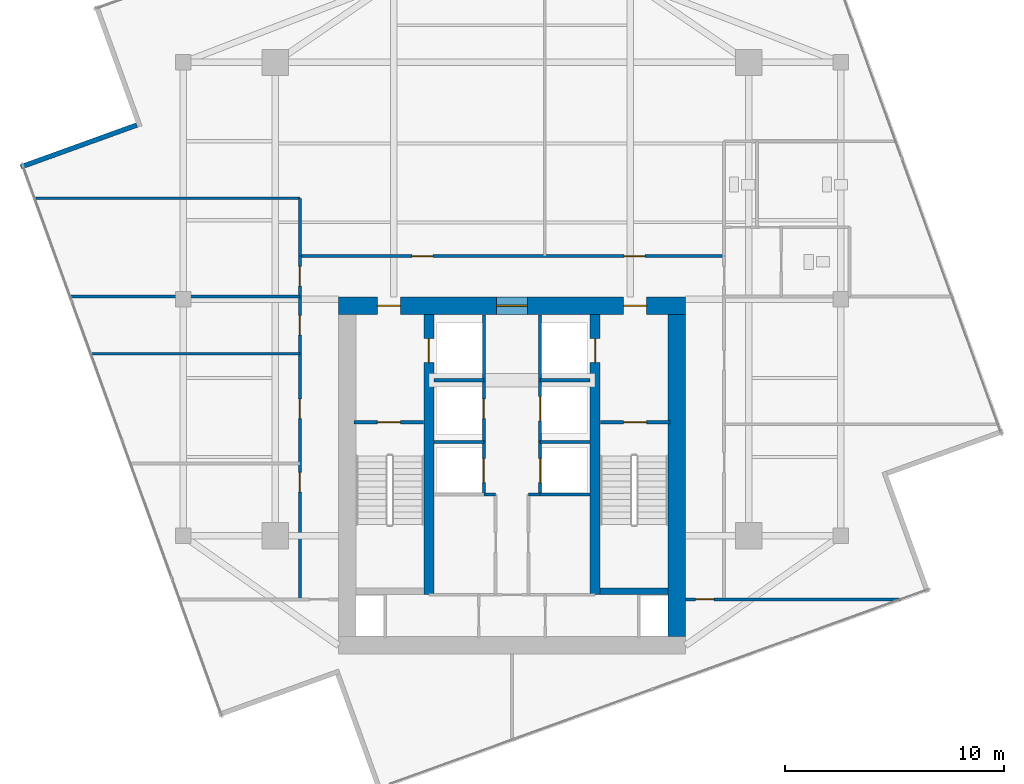
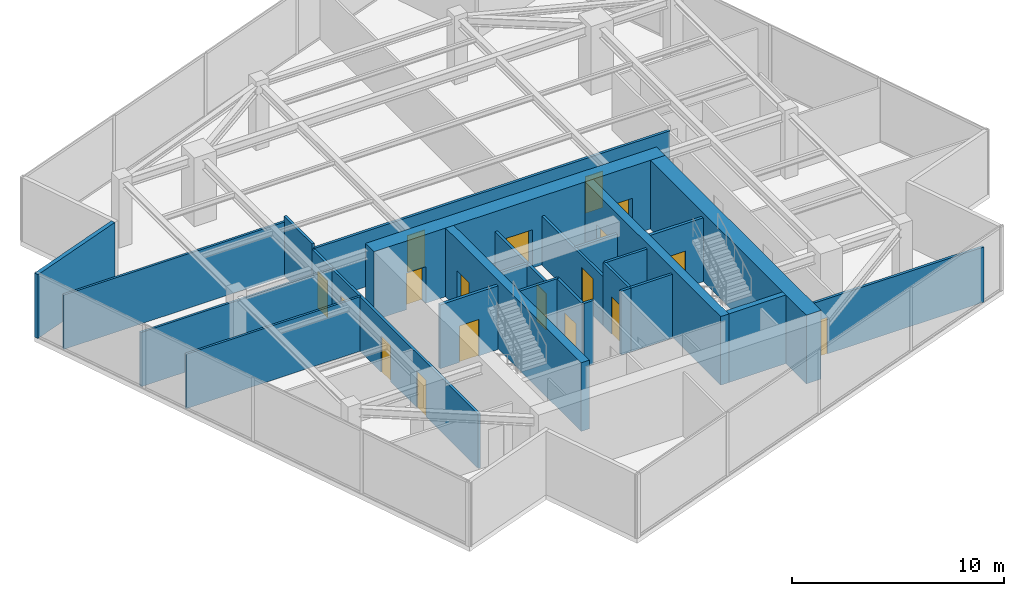
# One storey, part 18 of 21: 26 walls, 18 doors, 18 openings.
"""IFC4 building model written with IfcOpenShell, lengths in metres."""

import ifcopenshell
import ifcopenshell.guid

model = None  # the IFC model being written
_history = None  # IfcOwnerHistory: only IFC2X3 demands one
_inside = {}  # id of a spatial element -> (the spatial element, [elements in it])
_under = {}  # id of a project, library or spatial element -> (it, [spatial elements below it])
_declared = {}  # id of a project -> (the project, [libraries it declares])
_typed = {}  # id of a type object -> (the type object, [elements of that type])
_made_of = {}  # id of a material, layer set ... -> (it, [elements and type objects made of it])


def new_model(schema):
    """Start an empty IFC model of exactly this schema.

    Asked for "IFC4X3", IfcOpenShell would pick the latest addendum, in which some entities
    have other attributes; the version numbers below select the first issue.
    IFC2X3 requires an IfcOwnerHistory on every rooted entity: one is made here for all.
    """
    global model, _history
    if schema == "IFC4X3":
        model = ifcopenshell.file(schema_version=(4, 3, 0, 0))
    else:
        model = ifcopenshell.file(schema=schema)
    _inside.clear()
    _under.clear()
    _declared.clear()
    _typed.clear()
    _made_of.clear()
    _history = None
    if model.schema == "IFC2X3":
        org = make("IfcOrganization", Name="unknown")
        user = make(
            "IfcPersonAndOrganization",
            ThePerson=make("IfcPerson", FamilyName="unknown"),
            TheOrganization=org,
        )
        app = make(
            "IfcApplication",
            ApplicationDeveloper=org,
            Version="unknown",
            ApplicationFullName="unknown",
            ApplicationIdentifier="unknown",
        )
        _history = make(
            "IfcOwnerHistory",
            OwningUser=user,
            OwningApplication=app,
            ChangeAction="ADDED",
            CreationDate=0,
        )
    return model


def make(cls, **values):
    """One entity of the class cls with the attributes given. An attribute that is None is left unset."""
    return model.create_entity(
        cls, **{name: value for name, value in values.items() if value is not None}
    )


def rooted(cls, **values):
    """An entity with a GlobalId (a new one), such as an element, a storey or a relation."""
    return make(cls, GlobalId=ifcopenshell.guid.new(), OwnerHistory=_history, **values)


def si_unit(unit_type, name, prefix=None):
    """IfcSIUnit, for example si_unit("LENGTHUNIT", "METRE", prefix="MILLI")."""
    return make("IfcSIUnit", UnitType=unit_type, Prefix=prefix, Name=name)


def assignment(units):
    """IfcUnitAssignment: the units of a project."""
    return None if units is None else make("IfcUnitAssignment", Units=units)


def point(xyz):
    """IfcCartesianPoint."""
    return None if xyz is None else make("IfcCartesianPoint", Coordinates=xyz)


def direction(xyz):
    """IfcDirection."""
    return None if xyz is None else make("IfcDirection", DirectionRatios=xyz)


def frame(location, z_axis=None, x_axis=None):
    """IfcAxis2Placement3D, a coordinate frame: its origin and axes. An axis left out is left unset."""
    return make(
        "IfcAxis2Placement3D",
        Location=point(location),
        Axis=direction(z_axis),
        RefDirection=direction(x_axis),
    )


def frame_2d(location, x_axis=None):
    """IfcAxis2Placement2D, a coordinate frame in the plane: its origin and x axis."""
    return make(
        "IfcAxis2Placement2D", Location=point(location), RefDirection=direction(x_axis)
    )


def origin():
    """The frame at (0, 0, 0) with its axes left unset."""
    return frame((0.0, 0.0, 0.0))


def place(relative_to, where):
    """IfcLocalPlacement: puts the frame where relative to a parent placement (None: the world)."""
    return make(
        "IfcLocalPlacement", PlacementRelTo=relative_to, RelativePlacement=where
    )


def context(
    kind, dimensions, precision=None, world=None, true_north=None, identifier=None
):
    """IfcGeometricRepresentationContext, for example the 3D "Model" context."""
    return make(
        "IfcGeometricRepresentationContext",
        ContextIdentifier=identifier,
        ContextType=kind,
        CoordinateSpaceDimension=dimensions,
        Precision=precision,
        WorldCoordinateSystem=world,
        TrueNorth=true_north,
    )


def subcontext(parent, identifier, kind, view, scale=None):
    """IfcGeometricRepresentationSubContext, for example "Body" below "Model"."""
    return make(
        "IfcGeometricRepresentationSubContext",
        ContextIdentifier=identifier,
        ContextType=kind,
        ParentContext=parent,
        TargetScale=scale,
        TargetView=view,
    )


def project(units=None, contexts=None):
    """IfcProject with its units and contexts."""
    return rooted(
        "IfcProject",
        Name="project",
        RepresentationContexts=contexts,
        UnitsInContext=assignment(units),
    )


def spatial(cls, under=None, at=None, **own):
    """A site, building, storey or space (cls), placed at a placement, below another one or the project."""
    s = rooted(cls, ObjectPlacement=at, **own)
    if under is not None:
        _under.setdefault(under.id(), (under, []))[1].append(s)
    return s


def profile(cls, at=None, kind="AREA", **sizes):
    """A parametric profile (cls). Its sizes go by their IFC names, for example OverallWidth=200.0."""
    return make(cls, ProfileType=kind, Position=at, **sizes)


def rectangle(**sizes):
    """IfcRectangleProfileDef."""
    return profile("IfcRectangleProfileDef", **sizes)


def extrude(swept, where, along, depth):
    """IfcExtrudedAreaSolid: the profile swept, set in the frame where, extruded along a direction by depth."""
    return make(
        "IfcExtrudedAreaSolid",
        SweptArea=swept,
        Position=where,
        ExtrudedDirection=direction(along),
        Depth=depth,
    )


def shape(context_of_items, identifier, shape_type, items):
    """IfcShapeRepresentation: the items that make up one representation, for example the "Body"."""
    return make(
        "IfcShapeRepresentation",
        ContextOfItems=context_of_items,
        RepresentationIdentifier=identifier,
        RepresentationType=shape_type,
        Items=items,
    )


def material(Name=None, Category=None):
    """IfcMaterial."""
    return make("IfcMaterial", Name=Name, Category=Category)


def layer(
    of_material, thickness, ventilated=None, Name=None, Category=None, Priority=None
):
    """IfcMaterialLayer: one layer of a wall or slab, of a material (None: an air gap)."""
    return make(
        "IfcMaterialLayer",
        Material=of_material,
        LayerThickness=thickness,
        IsVentilated=ventilated,
        Name=Name,
        Category=Category,
        Priority=Priority,
    )


def layer_set(layers, Name=None):
    """IfcMaterialLayerSet."""
    return make("IfcMaterialLayerSet", MaterialLayers=layers, LayerSetName=Name)


def made_of(thing, what):
    """Note that an element or type object is made of a material, layer set ...; save() writes the relation."""
    if what is not None:
        _made_of.setdefault(what.id(), (what, []))[1].append(thing)
    return thing


def type_object(cls, material=None, **own):
    """A type object (cls), such as IfcWallType, which elements share."""
    return made_of(rooted(cls, **own), material)


def element(
    cls,
    number,
    at=None,
    inside=None,
    cuts=None,
    type_object=None,
    material=None,
    context=None,
    identifier="Body",
    shape_type=None,
    held_by="IfcProductDefinitionShape",
    body=None,
    shapes=None,
    **own,
):
    """One element of the class cls, such as IfcWall. Its Tag is "e" and its number.

    at: its placement. inside: the storey or other place that contains it. cuts: it is an
    opening in that element (IfcRelVoidsElement). A single representation is given by context,
    identifier, shape_type and body (its items); several are given by shapes. held_by: the class
    of the entity that holds the representations. save() writes the other relations.
    """
    e = rooted(cls, Tag="e%d" % number, ObjectPlacement=at, **own)
    if body is not None:
        shapes = [shape(context, identifier, shape_type, body)]
    if shapes is not None:
        e.Representation = make(held_by, Representations=shapes)
    if inside is not None:
        _inside.setdefault(inside.id(), (inside, []))[1].append(e)
    if cuts is not None:
        rooted(
            "IfcRelVoidsElement", RelatingBuildingElement=cuts, RelatedOpeningElement=e
        )
    if type_object is not None:
        _typed.setdefault(type_object.id(), (type_object, []))[1].append(e)
    return made_of(e, material)


def fill(opening, filler):
    """IfcRelFillsElement: the door or window that sits in an opening."""
    return rooted(
        "IfcRelFillsElement",
        RelatingOpeningElement=opening,
        RelatedBuildingElement=filler,
    )


def aggregate(whole, parts):
    """IfcRelAggregates: a whole, such as a stair, and the parts it consists of."""
    return rooted("IfcRelAggregates", RelatingObject=whole, RelatedObjects=parts)


def save(model, path):
    """Write the relations noted so far, then the file.

    IfcRelAggregates (storeys below a building ...), IfcRelContainedInSpatialStructure (elements
    in a storey), IfcRelDefinesByType, IfcRelAssociatesMaterial and IfcRelDeclares: one each for
    every whole, place, type object, material and project.
    """
    for whole, parts in _under.values():
        aggregate(whole, parts)
    for where, things in _inside.values():
        rooted(
            "IfcRelContainedInSpatialStructure",
            RelatedElements=things,
            RelatingStructure=where,
        )
    for kind, things in _typed.values():
        rooted("IfcRelDefinesByType", RelatedObjects=things, RelatingType=kind)
    for what, things in _made_of.values():
        rooted("IfcRelAssociatesMaterial", RelatedObjects=things, RelatingMaterial=what)
    for by, libraries in _declared.values():
        rooted("IfcRelDeclares", RelatingContext=by, RelatedDefinitions=libraries)
    model.write(path)


model = new_model("IFC4")

# Units and contexts
model_context = context("Model", 3, precision=1e-05, world=origin(), true_north=direction((0.0, 1.0)))
body_context = subcontext(model_context, "Body", "Model", "MODEL_VIEW")
ifc_project = project(units=[si_unit("LENGTHUNIT", "METRE"), si_unit("AREAUNIT", "SQUARE_METRE"), si_unit("VOLUMEUNIT", "CUBIC_METRE"), si_unit("PLANEANGLEUNIT", "RADIAN"), si_unit("MASSUNIT", "GRAM", prefix="KILO")], contexts=[model_context])

# Site, building, storey
site_placement = place(None, origin())
site = spatial("IfcSite", under=ifc_project, at=site_placement, CompositionType="ELEMENT")
building_placement = place(site_placement, origin())
building = spatial("IfcBuilding", under=site, at=building_placement, Name="Krantzveldt Concourse Tower", CompositionType="ELEMENT")
storey_placement = place(building_placement, frame((0.0, 0.0, 335.60009765625)))
storey = spatial("IfcBuildingStorey", under=building, at=storey_placement, Name="L82", CompositionType="ELEMENT", Elevation=335.60009765625)

# Walls
ifc_material_1 = material(Name="Anodised aluminium 6063-T6", Category="aluminium")
ifc_layer_1 = layer(ifc_material_1, 0.219970703125, Name="Anodised aluminium 6063-T6", Category="aluminium")
ifc_layer_set_1 = layer_set([ifc_layer_1], Name="Anodised aluminium 6063-T6 (WL-EXT-NOTCH220)")
wall_type_1 = type_object("IfcWallType", Name="WL-EXT-NOTCH220", PredefinedType="ELEMENTEDWALL", material=ifc_layer_set_1)
wall_1_placement = place(storey_placement, frame((18.8798828125, 34.642822265625, 0.0), z_axis=(0.0, 0.0, 1.0), x_axis=(-0.940431745156, -0.339982547644, 0.0)))
element("IfcWall", 1, at=wall_1_placement, inside=storey, type_object=wall_type_1, Name="EW-L82-NCH03", PredefinedType="ELEMENTEDWALL", context=body_context, shape_type="SweptSolid", body=[
    extrude(rectangle(XDim=5.624755859375, YDim=0.219970703125, at=frame_2d((2.8125, 0.0))), origin(), (0.0, 0.0, 1.0), 3.669921875),
])
ifc_material_2 = material(Name="Fire-rated gypsum plasterboard on steel stud", Category="steel")
ifc_layer_2 = layer(ifc_material_2, 0.1201171875, Name="Fire-rated gypsum plasterboard on steel stud", Category="steel")
ifc_layer_set_2 = layer_set([ifc_layer_2], Name="Fire-rated gypsum plasterboard on steel stud (WL-PART-120)")
wall_type_2 = type_object("IfcWallType", Name="WL-PART-120", PredefinedType="PARTITIONING", material=ifc_layer_set_2)
wall_2_placement = place(storey_placement, frame((15.848876953125, 26.820068359375, 0.0), z_axis=(0.0, 0.0, 1.0), x_axis=(1.0, 0.0, 0.0)))
element("IfcWall", 2, at=wall_2_placement, inside=storey, type_object=wall_type_2, Name="WP-L82-PNTS", PredefinedType="PARTITIONING", context=body_context, shape_type="SweptSolid", body=[
    extrude(rectangle(XDim=10.47119140625, YDim=0.1201171875, at=frame_2d((5.235595703125, 0.0))), origin(), (0.0, 0.0, 1.0), 3.1298828125),
])
wall_3_placement = place(storey_placement, frame((14.2294921875, 31.300048828125, 0.0), z_axis=(0.0, 0.0, 1.0), x_axis=(1.0, 0.0, 0.0)))
element("IfcWall", 3, at=wall_3_placement, inside=storey, type_object=wall_type_2, Name="WP-L82-PNTN", PredefinedType="PARTITIONING", context=body_context, shape_type="SweptSolid", body=[
    extrude(rectangle(XDim=12.090576171875, YDim=0.1201171875, at=frame_2d((6.04541015625, 0.0))), origin(), (0.0, 0.0, 1.0), 3.1298828125),
])
wall_4_placement = place(storey_placement, frame((16.796142578125, 24.199951171875, 0.0), z_axis=(0.0, 0.0, 1.0), x_axis=(1.0, 0.0, 0.0)))
element("IfcWall", 4, at=wall_4_placement, inside=storey, type_object=wall_type_2, Name="WP-L82-WD2", PredefinedType="PARTITIONING", context=body_context, shape_type="SweptSolid", body=[
    extrude(rectangle(XDim=9.52392578125, YDim=0.1201171875, at=frame_2d((4.761962890625, 0.0))), origin(), (0.0, 0.0, 1.0), 3.1298828125),
])

# Wall, openings, doors
ifc_layer_3 = layer(ifc_material_2, 0.139892578125, Name="Fire-rated gypsum plasterboard on steel stud", Category="steel")
ifc_layer_set_3 = layer_set([ifc_layer_3], Name="Fire-rated gypsum plasterboard on steel stud (WL-PART-140)")
wall_type_3 = type_object("IfcWallType", Name="WL-PART-140", PredefinedType="PARTITIONING", material=ifc_layer_set_3)
wall_5_placement = place(storey_placement, frame((26.320068359375, 28.659912109375, 0.0), z_axis=(0.0, 0.0, 1.0), x_axis=(1.0, 0.0, 0.0)))
wall_5 = element("IfcWall", 5, at=wall_5_placement, inside=storey, type_object=wall_type_3, Name="WP-L82-CNHDR", PredefinedType="PARTITIONING", context=body_context, shape_type="SweptSolid", body=[
    extrude(rectangle(XDim=19.35986328125, YDim=0.139892578125, at=frame_2d((9.679931640625, 0.0))), origin(), (0.0, 0.0, 1.0), 3.179931640625),
])
opening_1_placement = place(wall_5_placement, frame((5.114990234375, 0.0, 0.0)))
opening_1 = element("IfcOpeningElement", 6, at=opening_1_placement, cuts=wall_5, Name="Opening D-IN095", PredefinedType="OPENING", context=body_context, shape_type="SweptSolid", body=[
    extrude(rectangle(XDim=0.949951171875, YDim=2.10009765625, at=frame_2d((0.47509765625, 1.050048828125))), frame((0.0, 0.080078125, 0.0), z_axis=(0.0, -1.0, 0.0), x_axis=(1.0, 0.0, 0.0)), (0.0, 0.0, 1.0), 0.159912109375),
])
opening_2_placement = place(wall_5_placement, frame((14.794921875, 0.0, 0.0)))
opening_2 = element("IfcOpeningElement", 7, at=opening_2_placement, cuts=wall_5, Name="Opening D-IN095", PredefinedType="OPENING", context=body_context, shape_type="SweptSolid", body=[
    extrude(rectangle(XDim=0.949951171875, YDim=2.10009765625, at=frame_2d((0.47509765625, 1.050048828125))), frame((0.0, 0.080078125, 0.0), z_axis=(0.0, -1.0, 0.0), x_axis=(1.0, 0.0, 0.0)), (0.0, 0.0, 1.0), 0.159912109375),
])
ifc_material_3 = material(Name="Hardwood timber", Category="wood")
door_type_1 = type_object("IfcDoorType", Name="DR-INT-950", OperationType="SINGLE_SWING_LEFT", PredefinedType="DOOR", material=ifc_material_3)
door_1_placement = place(opening_1_placement, origin())
door_1 = element("IfcDoor", 8, at=door_1_placement, inside=storey, type_object=door_type_1, Name="DR-L82-NR1", OperationType="SINGLE_SWING_LEFT", OverallHeight=2.10009765625, OverallWidth=0.949951171875, PredefinedType="DOOR", context=body_context, shape_type="SweptSolid", body=[
    extrude(rectangle(XDim=0.949951171875, YDim=2.10009765625, at=frame_2d((0.47509765625, 1.050048828125))), frame((0.0, 0.02490234375, 0.0), z_axis=(0.0, -1.0, 0.0), x_axis=(1.0, 0.0, 0.0)), (0.0, 0.0, 1.0), 0.050048828125),
])
fill(opening_1, door_1)
door_2_placement = place(opening_2_placement, origin())
door_2 = element("IfcDoor", 9, at=door_2_placement, inside=storey, type_object=door_type_1, Name="DR-L82-NR2", OperationType="SINGLE_SWING_LEFT", OverallHeight=2.10009765625, OverallWidth=0.949951171875, PredefinedType="DOOR", context=body_context, shape_type="SweptSolid", body=[
    extrude(rectangle(XDim=0.949951171875, YDim=2.10009765625, at=frame_2d((0.47509765625, 1.050048828125))), frame((0.0, 0.02490234375, 0.0), z_axis=(0.0, -1.0, 0.0), x_axis=(1.0, 0.0, 0.0)), (0.0, 0.0, 1.0), 0.050048828125),
])
fill(opening_2, door_2)

wall_6_placement = place(storey_placement, frame((26.320068359375, 13.0, 0.0), z_axis=(0.0, 0.0, 1.0), x_axis=(0.0, 1.0, 0.0)))
wall_6 = element("IfcWall", 10, at=wall_6_placement, inside=storey, type_object=wall_type_3, Name="WP-L82-CWEST", PredefinedType="PARTITIONING", context=body_context, shape_type="SweptSolid", body=[
    extrude(rectangle(XDim=15.659912109375, YDim=0.139892578125, at=frame_2d((7.830078125, 0.0))), origin(), (0.0, 0.0, 1.0), 3.1298828125),
])
opening_3_placement = place(wall_6_placement, frame((14.300048828125, 0.0, 0.0)))
opening_3 = element("IfcOpeningElement", 11, at=opening_3_placement, cuts=wall_6, Name="Opening D-IN090", PredefinedType="OPENING", context=body_context, shape_type="SweptSolid", body=[
    extrude(rectangle(XDim=0.89990234375, YDim=2.10009765625, at=frame_2d((0.449951171875, 1.050048828125))), frame((0.0, 0.080078125, 0.0), z_axis=(0.0, -1.0, 0.0), x_axis=(1.0, 0.0, 0.0)), (0.0, 0.0, 1.0), 0.159912109375),
])
opening_4_placement = place(wall_6_placement, frame((4.89990234375, 0.0, 0.0)))
opening_4 = element("IfcOpeningElement", 12, at=opening_4_placement, cuts=wall_6, Name="Opening D-IN090", PredefinedType="OPENING", context=body_context, shape_type="SweptSolid", body=[
    extrude(rectangle(XDim=0.89990234375, YDim=2.10009765625, at=frame_2d((0.449951171875, 1.050048828125))), frame((0.0, 0.080078125, 0.0), z_axis=(0.0, -1.0, 0.0), x_axis=(1.0, 0.0, 0.0)), (0.0, 0.0, 1.0), 0.159912109375),
])
opening_5_placement = place(wall_6_placement, frame((8.25, 0.0, 0.0)))
opening_5 = element("IfcOpeningElement", 13, at=opening_5_placement, cuts=wall_6, Name="Opening D-IN090", PredefinedType="OPENING", context=body_context, shape_type="SweptSolid", body=[
    extrude(rectangle(XDim=0.89990234375, YDim=2.10009765625, at=frame_2d((0.449951171875, 1.050048828125))), frame((0.0, 0.080078125, 0.0), z_axis=(0.0, -1.0, 0.0), x_axis=(1.0, 0.0, 0.0)), (0.0, 0.0, 1.0), 0.159912109375),
])
opening_6_placement = place(wall_6_placement, frame((12.06005859375, 0.0, 0.0)))
opening_6 = element("IfcOpeningElement", 14, at=opening_6_placement, cuts=wall_6, Name="Opening D-IN090", PredefinedType="OPENING", context=body_context, shape_type="SweptSolid", body=[
    extrude(rectangle(XDim=0.89990234375, YDim=2.10009765625, at=frame_2d((0.449951171875, 1.050048828125))), frame((0.0, 0.080078125, 0.0), z_axis=(0.0, -1.0, 0.0), x_axis=(1.0, 0.0, 0.0)), (0.0, 0.0, 1.0), 0.159912109375),
])
door_type_2 = type_object("IfcDoorType", Name="DR-INT-900", OperationType="SINGLE_SWING_LEFT", PredefinedType="DOOR", material=ifc_material_3)
door_3_placement = place(opening_3_placement, origin())
door_3 = element("IfcDoor", 15, at=door_3_placement, inside=storey, type_object=door_type_2, Name="DR-L82-PNT", OperationType="SINGLE_SWING_LEFT", OverallHeight=2.10009765625, OverallWidth=0.89990234375, PredefinedType="DOOR", context=body_context, shape_type="SweptSolid", body=[
    extrude(rectangle(XDim=0.89990234375, YDim=2.10009765625, at=frame_2d((0.449951171875, 1.050048828125))), frame((0.0, 0.02490234375, 0.0), z_axis=(0.0, -1.0, 0.0), x_axis=(1.0, 0.0, 0.0)), (0.0, 0.0, 1.0), 0.050048828125),
])
fill(opening_3, door_3)
door_4_placement = place(opening_4_placement, origin())
door_4 = element("IfcDoor", 16, at=door_4_placement, inside=storey, type_object=door_type_2, Name="DR-L82-WR1", OperationType="SINGLE_SWING_LEFT", OverallHeight=2.10009765625, OverallWidth=0.89990234375, PredefinedType="DOOR", context=body_context, shape_type="SweptSolid", body=[
    extrude(rectangle(XDim=0.89990234375, YDim=2.10009765625, at=frame_2d((0.449951171875, 1.050048828125))), frame((0.0, 0.02490234375, 0.0), z_axis=(0.0, -1.0, 0.0), x_axis=(1.0, 0.0, 0.0)), (0.0, 0.0, 1.0), 0.050048828125),
])
fill(opening_4, door_4)
door_5_placement = place(opening_5_placement, origin())
door_5 = element("IfcDoor", 17, at=door_5_placement, inside=storey, type_object=door_type_2, Name="DR-L82-WR2", OperationType="SINGLE_SWING_LEFT", OverallHeight=2.10009765625, OverallWidth=0.89990234375, PredefinedType="DOOR", context=body_context, shape_type="SweptSolid", body=[
    extrude(rectangle(XDim=0.89990234375, YDim=2.10009765625, at=frame_2d((0.449951171875, 1.050048828125))), frame((0.0, 0.02490234375, 0.0), z_axis=(0.0, -1.0, 0.0), x_axis=(1.0, 0.0, 0.0)), (0.0, 0.0, 1.0), 0.050048828125),
])
fill(opening_5, door_5)
door_6_placement = place(opening_6_placement, origin())
door_6 = element("IfcDoor", 18, at=door_6_placement, inside=storey, type_object=door_type_2, Name="DR-L82-WR3", OperationType="SINGLE_SWING_LEFT", OverallHeight=2.10009765625, OverallWidth=0.89990234375, PredefinedType="DOOR", context=body_context, shape_type="SweptSolid", body=[
    extrude(rectangle(XDim=0.89990234375, YDim=2.10009765625, at=frame_2d((0.449951171875, 1.050048828125))), frame((0.0, 0.02490234375, 0.0), z_axis=(0.0, -1.0, 0.0), x_axis=(1.0, 0.0, 0.0)), (0.0, 0.0, 1.0), 0.050048828125),
])
fill(opening_6, door_6)

# Wall, opening, door
wall_7_placement = place(storey_placement, frame((43.919921875, 13.0, 0.0), z_axis=(0.0, 0.0, 1.0), x_axis=(1.0, 0.0, 0.0)))
wall_7 = element("IfcWall", 19, at=wall_7_placement, inside=storey, type_object=wall_type_3, Name="WP-L82-CSBOTE", PredefinedType="PARTITIONING", context=body_context, shape_type="SweptSolid", body=[
    extrude(rectangle(XDim=9.80517578125, YDim=0.139892578125, at=frame_2d((4.902587890625, 0.0))), origin(), (0.0, 0.0, 1.0), 3.179931640625),
])
opening_7_placement = place(wall_7_placement, frame((0.455078125, 0.0, 0.0)))
opening_7 = element("IfcOpeningElement", 20, at=opening_7_placement, cuts=wall_7, Name="Opening D-IN085", PredefinedType="OPENING", context=body_context, shape_type="SweptSolid", body=[
    extrude(rectangle(XDim=0.85009765625, YDim=2.10009765625, at=frame_2d((0.425048828125, 1.050048828125))), frame((0.0, 0.080078125, 0.0), z_axis=(0.0, -1.0, 0.0), x_axis=(1.0, 0.0, 0.0)), (0.0, 0.0, 1.0), 0.159912109375),
])
door_type_3 = type_object("IfcDoorType", Name="DR-INT-850", OperationType="SINGLE_SWING_LEFT", PredefinedType="DOOR", material=ifc_material_3)
door_7_placement = place(opening_7_placement, origin())
door_7 = element("IfcDoor", 21, at=door_7_placement, inside=storey, type_object=door_type_3, Name="DR-L82-SR2", OperationType="SINGLE_SWING_LEFT", OverallHeight=2.10009765625, OverallWidth=0.85009765625, PredefinedType="DOOR", context=body_context, shape_type="SweptSolid", body=[
    extrude(rectangle(XDim=0.85009765625, YDim=2.10009765625, at=frame_2d((0.425048828125, 1.050048828125))), frame((0.0, 0.02490234375, 0.0), z_axis=(0.0, -1.0, 0.0), x_axis=(1.0, 0.0, 0.0)), (0.0, 0.0, 1.0), 0.050048828125),
])
fill(opening_7, door_7)

# Wall
wall_8_placement = place(storey_placement, frame((26.320068359375, 28.659912109375, 0.0), z_axis=(0.0, 0.0, 1.0), x_axis=(0.0, 1.0, 0.0)))
element("IfcWall", 22, at=wall_8_placement, inside=storey, type_object=wall_type_3, Name="WP-L82-NWL", PredefinedType="PARTITIONING", context=body_context, shape_type="SweptSolid", body=[
    extrude(rectangle(XDim=2.64013671875, YDim=0.139892578125, at=frame_2d((1.320068359375, 0.0))), origin(), (0.0, 0.0, 1.0), 3.429931640625),
])

# Wall, opening, door
ifc_layer_4 = layer(ifc_material_2, 0.139892578125, Name="Fire-rated gypsum plasterboard on steel stud", Category="steel")
ifc_layer_set_4 = layer_set([ifc_layer_4], Name="Fire-rated gypsum plasterboard on steel stud (WL-PART-FR140)")
wall_type_4 = type_object("IfcWallType", Name="WL-PART-FR140", PredefinedType="PARTITIONING", material=ifc_layer_set_4)
wall_9_placement = place(storey_placement, frame((34.719970703125, 20.199951171875, 0.0), z_axis=(0.0, 0.0, 1.0), x_axis=(0.0, 1.0, 0.0)))
wall_9 = element("IfcWall", 23, at=wall_9_placement, inside=storey, type_object=wall_type_4, Name="WP-L82-SHNW", PredefinedType="PARTITIONING", context=body_context, shape_type="SweptSolid", body=[
    extrude(rectangle(XDim=5.780029296875, YDim=0.139892578125, at=frame_2d((2.89013671875, 0.0))), origin(), (0.0, 0.0, 1.0), 2.81982421875),
])
opening_8_placement = place(wall_9_placement, frame((1.050048828125, 0.0, 0.0)))
opening_8 = element("IfcOpeningElement", 24, at=opening_8_placement, cuts=wall_9, Name="Opening D-FD090", PredefinedType="OPENING", context=body_context, shape_type="SweptSolid", body=[
    extrude(rectangle(XDim=0.89990234375, YDim=2.10009765625, at=frame_2d((0.449951171875, 1.050048828125))), frame((0.0, 0.080078125, 0.0), z_axis=(0.0, -1.0, 0.0), x_axis=(1.0, 0.0, 0.0)), (0.0, 0.0, 1.0), 0.159912109375),
])
door_type_4 = type_object("IfcDoorType", Name="DR-FD60-900", OperationType="SINGLE_SWING_LEFT", PredefinedType="DOOR", material=ifc_material_3)
door_8_placement = place(opening_8_placement, origin())
door_8 = element("IfcDoor", 25, at=door_8_placement, inside=storey, type_object=door_type_4, Name="Electrical Riser Access Door L82", OperationType="SINGLE_SWING_LEFT", OverallHeight=2.10009765625, OverallWidth=0.89990234375, PredefinedType="DOOR", context=body_context, shape_type="SweptSolid", body=[
    extrude(rectangle(XDim=0.89990234375, YDim=2.10009765625, at=frame_2d((0.449951171875, 1.050048828125))), frame((0.0, 0.02490234375, 0.0), z_axis=(0.0, -1.0, 0.0), x_axis=(1.0, 0.0, 0.0)), (0.0, 0.0, 1.0), 0.050048828125),
])
fill(opening_8, door_8)

wall_10_placement = place(storey_placement, frame((37.280029296875, 20.199951171875, 0.0), z_axis=(0.0, 0.0, 1.0), x_axis=(0.0, 1.0, 0.0)))
wall_10 = element("IfcWall", 26, at=wall_10_placement, inside=storey, type_object=wall_type_4, Name="WP-L82-SHNE", PredefinedType="PARTITIONING", context=body_context, shape_type="SweptSolid", body=[
    extrude(rectangle(XDim=5.780029296875, YDim=0.139892578125, at=frame_2d((2.89013671875, 0.0))), origin(), (0.0, 0.0, 1.0), 2.81982421875),
])
opening_9_placement = place(wall_10_placement, frame((0.949951171875, 0.0, 0.0)))
opening_9 = element("IfcOpeningElement", 27, at=opening_9_placement, cuts=wall_10, Name="Opening LD", PredefinedType="OPENING", context=body_context, shape_type="SweptSolid", body=[
    extrude(rectangle(XDim=1.10009765625, YDim=2.14990234375, at=frame_2d((0.550048828125, 1.074951171875))), frame((0.0, 0.080078125, 0.0), z_axis=(0.0, -1.0, 0.0), x_axis=(1.0, 0.0, 0.0)), (0.0, 0.0, 1.0), 0.159912109375),
])
ifc_material_4 = material(Name="Stainless steel 316L", Category="steel")
door_type_5 = type_object("IfcDoorType", Name="DR-SLIDE-LD1100", OperationType="DOUBLE_DOOR_SLIDING", PredefinedType="DOOR", material=ifc_material_4)
door_9_placement = place(opening_9_placement, origin())
door_9 = element("IfcDoor", 28, at=door_9_placement, inside=storey, type_object=door_type_5, Name="LD-L82-GL1", OperationType="DOUBLE_DOOR_SLIDING", OverallHeight=2.14990234375, OverallWidth=1.10009765625, PredefinedType="DOOR", context=body_context, shape_type="SweptSolid", body=[
    extrude(rectangle(XDim=1.10009765625, YDim=2.14990234375, at=frame_2d((0.550048828125, 1.074951171875))), frame((0.0, 0.02490234375, 0.0), z_axis=(0.0, -1.0, 0.0), x_axis=(1.0, 0.0, 0.0)), (0.0, 0.0, 1.0), 0.050048828125),
])
fill(opening_9, door_9)

# Walls
for number, where, z_axis, x_axis, name in (
    (29, (32.449951171875, 23.0, 0.0), (0.0, 0.0, 1.0), (1.0, 0.0, 0.0), "WP-L82-RISH"),
    (30, (37.280029296875, 23.0, 0.0), (0.0, 0.0, 1.0), (1.0, 0.0, 0.0), "WP-L82-GLH"),
):
    element("IfcWall", number, at=place(storey_placement, frame(where, z_axis=z_axis, x_axis=x_axis)), inside=storey, type_object=wall_type_4, Name=name, PredefinedType="PARTITIONING", context=body_context, shape_type="SweptSolid", body=[
        extrude(rectangle(XDim=2.27001953125, YDim=0.139892578125, at=frame_2d((1.135009765625, 0.0))), origin(), (0.0, 0.0, 1.0), 2.81982421875),
    ])

# Wall, opening, door
wall_11_placement = place(storey_placement, frame((34.719970703125, 17.780029296875, 0.0), z_axis=(0.0, 0.0, 1.0), x_axis=(0.0, 1.0, 0.0)))
wall_11 = element("IfcWall", 31, at=wall_11_placement, inside=storey, type_object=wall_type_4, Name="WP-L82-SHNW2", PredefinedType="PARTITIONING", context=body_context, shape_type="SweptSolid", body=[
    extrude(rectangle(XDim=2.419921875, YDim=0.139892578125, at=frame_2d((1.2099609375, 0.0))), origin(), (0.0, 0.0, 1.0), 3.669921875),
])
opening_10_placement = place(wall_11_placement, frame((0.550048828125, 0.0, 0.0)))
opening_10 = element("IfcOpeningElement", 32, at=opening_10_placement, cuts=wall_11, Name="Opening LD", PredefinedType="OPENING", context=body_context, shape_type="SweptSolid", body=[
    extrude(rectangle(XDim=1.10009765625, YDim=2.14990234375, at=frame_2d((0.550048828125, 1.074951171875))), frame((0.0, 0.080078125, 0.0), z_axis=(0.0, -1.0, 0.0), x_axis=(1.0, 0.0, 0.0)), (0.0, 0.0, 1.0), 0.159912109375),
])
door_10_placement = place(opening_10_placement, origin())
door_10 = element("IfcDoor", 33, at=door_10_placement, inside=storey, type_object=door_type_5, Name="LD-L82-PH1", OperationType="DOUBLE_DOOR_SLIDING", OverallHeight=2.14990234375, OverallWidth=1.10009765625, PredefinedType="DOOR", context=body_context, shape_type="SweptSolid", body=[
    extrude(rectangle(XDim=1.10009765625, YDim=2.14990234375, at=frame_2d((0.550048828125, 1.074951171875))), frame((0.0, 0.02490234375, 0.0), z_axis=(0.0, -1.0, 0.0), x_axis=(1.0, 0.0, 0.0)), (0.0, 0.0, 1.0), 0.050048828125),
])
fill(opening_10, door_10)

wall_12_placement = place(storey_placement, frame((37.280029296875, 17.780029296875, 0.0), z_axis=(0.0, 0.0, 1.0), x_axis=(0.0, 1.0, 0.0)))
wall_12 = element("IfcWall", 34, at=wall_12_placement, inside=storey, type_object=wall_type_4, Name="WP-L82-SHNE2", PredefinedType="PARTITIONING", context=body_context, shape_type="SweptSolid", body=[
    extrude(rectangle(XDim=2.419921875, YDim=0.139892578125, at=frame_2d((1.2099609375, 0.0))), origin(), (0.0, 0.0, 1.0), 3.669921875),
])
opening_11_placement = place(wall_12_placement, frame((0.550048828125, 0.0, 0.0)))
opening_11 = element("IfcOpeningElement", 35, at=opening_11_placement, cuts=wall_12, Name="Opening LD", PredefinedType="OPENING", context=body_context, shape_type="SweptSolid", body=[
    extrude(rectangle(XDim=1.10009765625, YDim=2.14990234375, at=frame_2d((0.550048828125, 1.074951171875))), frame((0.0, 0.080078125, 0.0), z_axis=(0.0, -1.0, 0.0), x_axis=(1.0, 0.0, 0.0)), (0.0, 0.0, 1.0), 0.159912109375),
])
door_11_placement = place(opening_11_placement, origin())
door_11 = element("IfcDoor", 36, at=door_11_placement, inside=storey, type_object=door_type_5, Name="LD-L82-PH2", OperationType="DOUBLE_DOOR_SLIDING", OverallHeight=2.14990234375, OverallWidth=1.10009765625, PredefinedType="DOOR", context=body_context, shape_type="SweptSolid", body=[
    extrude(rectangle(XDim=1.10009765625, YDim=2.14990234375, at=frame_2d((0.550048828125, 1.074951171875))), frame((0.0, 0.02490234375, 0.0), z_axis=(0.0, -1.0, 0.0), x_axis=(1.0, 0.0, 0.0)), (0.0, 0.0, 1.0), 0.050048828125),
])
fill(opening_11, door_11)

# Walls
for number, where, z_axis, x_axis, name in (
    (37, (32.449951171875, 20.179931640625, 0.0), (0.0, 0.0, 1.0), (1.0, 0.0, 0.0), "WP-L82-DIVW3"),
    (38, (37.280029296875, 17.780029296875, 0.0), (0.0, 0.0, 1.0), (1.0, 0.0, 0.0), "WP-L82-DIVE2"),
    (39, (37.280029296875, 20.179931640625, 0.0), (0.0, 0.0, 1.0), (1.0, 0.0, 0.0), "WP-L82-DIVE3"),
):
    element("IfcWall", number, at=place(storey_placement, frame(where, z_axis=z_axis, x_axis=x_axis)), inside=storey, type_object=wall_type_4, Name=name, PredefinedType="PARTITIONING", context=body_context, shape_type="SweptSolid", body=[
        extrude(rectangle(XDim=2.27001953125, YDim=0.139892578125, at=frame_2d((1.135009765625, 0.0))), origin(), (0.0, 0.0, 1.0), 3.669921875),
    ])
for number, where, z_axis, x_axis, name in (
    (40, (34.719970703125, 17.780029296875, 0.0), (0.0, 0.0, 1.0), (1.0, 0.0, 0.0), "WP-L82-RECWN"),
    (41, (36.75, 17.780029296875, 0.0), (0.0, 0.0, 1.0), (1.0, 0.0, 0.0), "WP-L82-RECEN"),
):
    element("IfcWall", number, at=place(storey_placement, frame(where, z_axis=z_axis, x_axis=x_axis)), inside=storey, type_object=wall_type_4, Name=name, PredefinedType="PARTITIONING", context=body_context, shape_type="SweptSolid", body=[
        extrude(rectangle(XDim=0.530029296875, YDim=0.139892578125, at=frame_2d((0.26513671875, 0.0))), origin(), (0.0, 0.0, 1.0), 3.669921875),
    ])

# Wall, opening, door
ifc_layer_5 = layer(ifc_material_2, 0.159912109375, Name="Fire-rated gypsum plasterboard on steel stud", Category="steel")
ifc_layer_set_5 = layer_set([ifc_layer_5], Name="Fire-rated gypsum plasterboard on steel stud (WL-PART-FR160)")
wall_type_5 = type_object("IfcWallType", Name="WL-PART-FR160", PredefinedType="PARTITIONING", material=ifc_layer_set_5)
wall_13_placement = place(storey_placement, frame((28.800048828125, 21.080078125, 0.0), z_axis=(0.0, 0.0, 1.0), x_axis=(1.0, 0.0, 0.0)))
wall_13 = element("IfcWall", 42, at=wall_13_placement, inside=storey, type_object=wall_type_5, Name="WP-L82-ST1", PredefinedType="PARTITIONING", context=body_context, shape_type="SweptSolid", body=[
    extrude(rectangle(XDim=3.159912109375, YDim=0.159912109375, at=frame_2d((1.580078125, 0.0))), origin(), (0.0, 0.0, 1.0), 3.669921875),
])
opening_12_placement = place(wall_13_placement, frame((1.054931640625, 0.0, 0.0)))
opening_12 = element("IfcOpeningElement", 43, at=opening_12_placement, cuts=wall_13, Name="Opening D-FD105", PredefinedType="OPENING", context=body_context, shape_type="SweptSolid", body=[
    extrude(rectangle(XDim=1.050048828125, YDim=2.10009765625, at=frame_2d((0.52490234375, 1.050048828125))), frame((0.0, 0.08984375, 0.0), z_axis=(0.0, -1.0, 0.0), x_axis=(1.0, 0.0, 0.0)), (0.0, 0.0, 1.0), 0.179931640625),
])
ifc_material_5 = material(Name="Galvanised steel", Category="steel")
door_type_6 = type_object("IfcDoorType", Name="DR-FD120-1050", OperationType="SINGLE_SWING_LEFT", PredefinedType="DOOR", material=ifc_material_5)
door_12_placement = place(opening_12_placement, origin())
door_12 = element("IfcDoor", 44, at=door_12_placement, inside=storey, type_object=door_type_6, Name="DR-L82-ST1", OperationType="SINGLE_SWING_RIGHT", OverallHeight=2.10009765625, OverallWidth=1.050048828125, PredefinedType="DOOR", context=body_context, shape_type="SweptSolid", body=[
    extrude(rectangle(XDim=1.050048828125, YDim=2.10009765625, at=frame_2d((0.52490234375, 1.050048828125))), frame((0.0, 0.02490234375, 0.0), z_axis=(0.0, -1.0, 0.0), x_axis=(1.0, 0.0, 0.0)), (0.0, 0.0, 1.0), 0.050048828125),
])
fill(opening_12, door_12)

wall_14_placement = place(storey_placement, frame((40.0400390625, 21.080078125, 0.0), z_axis=(0.0, 0.0, 1.0), x_axis=(1.0, 0.0, 0.0)))
wall_14 = element("IfcWall", 45, at=wall_14_placement, inside=storey, type_object=wall_type_5, Name="WP-L82-ST2", PredefinedType="PARTITIONING", context=body_context, shape_type="SweptSolid", body=[
    extrude(rectangle(XDim=3.159912109375, YDim=0.159912109375, at=frame_2d((1.580078125, 0.0))), origin(), (0.0, 0.0, 1.0), 3.669921875),
])
opening_13_placement = place(wall_14_placement, frame((1.054931640625, 0.0, 0.0)))
opening_13 = element("IfcOpeningElement", 46, at=opening_13_placement, cuts=wall_14, Name="Opening D-FD105", PredefinedType="OPENING", context=body_context, shape_type="SweptSolid", body=[
    extrude(rectangle(XDim=1.050048828125, YDim=2.10009765625, at=frame_2d((0.52490234375, 1.050048828125))), frame((0.0, 0.08984375, 0.0), z_axis=(0.0, -1.0, 0.0), x_axis=(1.0, 0.0, 0.0)), (0.0, 0.0, 1.0), 0.179931640625),
])
door_13_placement = place(opening_13_placement, origin())
door_13 = element("IfcDoor", 47, at=door_13_placement, inside=storey, type_object=door_type_6, Name="DR-L82-ST2", OperationType="SINGLE_SWING_LEFT", OverallHeight=2.10009765625, OverallWidth=1.050048828125, PredefinedType="DOOR", context=body_context, shape_type="SweptSolid", body=[
    extrude(rectangle(XDim=1.050048828125, YDim=2.10009765625, at=frame_2d((0.52490234375, 1.050048828125))), frame((0.0, 0.02490234375, 0.0), z_axis=(0.0, -1.0, 0.0), x_axis=(1.0, 0.0, 0.0)), (0.0, 0.0, 1.0), 0.050048828125),
])
fill(opening_13, door_13)

# Wall
ifc_material_6 = material(Name="Concrete C50/60", Category="concrete")
ifc_layer_6 = layer(ifc_material_6, 0.300048828125, Name="Concrete C50/60", Category="concrete")
ifc_layer_set_6 = layer_set([ifc_layer_6], Name="Concrete C50/60 (WL-SHEAR-300)")
wall_type_6 = type_object("IfcWallType", Name="WL-SHEAR-300", PredefinedType="SHEAR", material=ifc_layer_set_6)
wall_15_placement = place(storey_placement, frame((40.02001953125, 13.3701171875, 0.0), z_axis=(0.0, 0.0, 1.0), x_axis=(1.0, 0.0, 0.0)))
element("IfcWall", 48, at=wall_15_placement, inside=storey, type_object=wall_type_6, Name="CW-L82-ST2S", PredefinedType="SHEAR", context=body_context, shape_type="SweptSolid", body=[
    extrude(rectangle(XDim=3.10009765625, YDim=0.300048828125, at=frame_2d((1.550048828125, 0.0))), origin(), (0.0, 0.0, 1.0), 3.949951171875),
])

# Wall, opening, door
ifc_layer_7 = layer(ifc_material_6, 0.449951171875, Name="Concrete C50/60", Category="concrete")
ifc_layer_set_7 = layer_set([ifc_layer_7], Name="Concrete C50/60 (WL-SHEAR-450)")
wall_type_7 = type_object("IfcWallType", Name="WL-SHEAR-450", PredefinedType="SHEAR", material=ifc_layer_set_7)
wall_16_placement = place(storey_placement, frame((32.205078125, 13.219970703125, 0.0), z_axis=(0.0, 0.0, 1.0), x_axis=(0.0, 1.0, 0.0)))
wall_16 = element("IfcWall", 49, at=wall_16_placement, inside=storey, type_object=wall_type_7, Name="CW-L82-IW", PredefinedType="SHEAR", context=body_context, shape_type="SweptSolid", body=[
    extrude(rectangle(XDim=12.780029296875, YDim=0.449951171875, at=frame_2d((6.39013671875, 0.0))), origin(), (0.0, 0.0, 1.0), 3.949951171875),
])
opening_14_placement = place(wall_16_placement, frame((10.580078125, 0.0, 0.0)))
opening_14 = element("IfcOpeningElement", 50, at=opening_14_placement, cuts=wall_16, Name="Opening LD", PredefinedType="OPENING", context=body_context, shape_type="SweptSolid", body=[
    extrude(rectangle(XDim=1.10009765625, YDim=2.14990234375, at=frame_2d((0.550048828125, 1.074951171875))), frame((0.0, 0.23486328125, 0.0), z_axis=(0.0, -1.0, 0.0), x_axis=(1.0, 0.0, 0.0)), (0.0, 0.0, 1.0), 0.469970703125),
])
door_14_placement = place(opening_14_placement, origin())
door_14 = element("IfcDoor", 51, at=door_14_placement, inside=storey, type_object=door_type_5, Name="LD-L82-FL1", OperationType="DOUBLE_DOOR_SLIDING", OverallHeight=2.14990234375, OverallWidth=1.10009765625, PredefinedType="DOOR", context=body_context, shape_type="SweptSolid", body=[
    extrude(rectangle(XDim=1.10009765625, YDim=2.14990234375, at=frame_2d((0.550048828125, 1.074951171875))), frame((0.0, 0.02490234375, 0.0), z_axis=(0.0, -1.0, 0.0), x_axis=(1.0, 0.0, 0.0)), (0.0, 0.0, 1.0), 0.050048828125),
])
fill(opening_14, door_14)

wall_17_placement = place(storey_placement, frame((39.794921875, 13.219970703125, 0.0), z_axis=(0.0, 0.0, 1.0), x_axis=(0.0, 1.0, 0.0)))
wall_17 = element("IfcWall", 52, at=wall_17_placement, inside=storey, type_object=wall_type_7, Name="CW-L82-IE", PredefinedType="SHEAR", context=body_context, shape_type="SweptSolid", body=[
    extrude(rectangle(XDim=12.780029296875, YDim=0.449951171875, at=frame_2d((6.39013671875, 0.0))), origin(), (0.0, 0.0, 1.0), 3.949951171875),
])
opening_15_placement = place(wall_17_placement, frame((10.580078125, 0.0, 0.0)))
opening_15 = element("IfcOpeningElement", 53, at=opening_15_placement, cuts=wall_17, Name="Opening LD", PredefinedType="OPENING", context=body_context, shape_type="SweptSolid", body=[
    extrude(rectangle(XDim=1.10009765625, YDim=2.14990234375, at=frame_2d((0.550048828125, 1.074951171875))), frame((0.0, 0.23486328125, 0.0), z_axis=(0.0, -1.0, 0.0), x_axis=(1.0, 0.0, 0.0)), (0.0, 0.0, 1.0), 0.469970703125),
])
door_15_placement = place(opening_15_placement, origin())
door_15 = element("IfcDoor", 54, at=door_15_placement, inside=storey, type_object=door_type_5, Name="LD-L82-FL2", OperationType="DOUBLE_DOOR_SLIDING", OverallHeight=2.14990234375, OverallWidth=1.10009765625, PredefinedType="DOOR", context=body_context, shape_type="SweptSolid", body=[
    extrude(rectangle(XDim=1.10009765625, YDim=2.14990234375, at=frame_2d((0.550048828125, 1.074951171875))), frame((0.0, 0.02490234375, 0.0), z_axis=(0.0, -1.0, 0.0), x_axis=(1.0, 0.0, 0.0)), (0.0, 0.0, 1.0), 0.050048828125),
])
fill(opening_15, door_15)

# Wall, openings, doors
ifc_material_7 = material(Name="Concrete C60/75", Category="concrete")
ifc_layer_8 = layer(ifc_material_7, 0.800048828125, Name="Concrete C60/75", Category="concrete")
ifc_layer_set_8 = layer_set([ifc_layer_8], Name="Concrete C60/75 (WL-SHEAR-800)")
wall_type_8 = type_object("IfcWallType", Name="WL-SHEAR-800", PredefinedType="SHEAR", material=ifc_layer_set_8)
wall_18_placement = place(storey_placement, frame((28.080078125, 26.39990234375, 0.0), z_axis=(0.0, 0.0, 1.0), x_axis=(1.0, 0.0, 0.0)))
wall_18 = element("IfcWall", 55, at=wall_18_placement, inside=storey, type_object=wall_type_8, Name="CW-L82-N", PredefinedType="SHEAR", context=body_context, shape_type="SweptSolid", body=[
    extrude(rectangle(XDim=15.83984375, YDim=0.800048828125, at=frame_2d((7.919921875, 0.0))), origin(), (0.0, 0.0, 1.0), 3.949951171875),
])
opening_16_placement = place(wall_18_placement, frame((7.219970703125, 0.0, 0.0)))
opening_16 = element("IfcOpeningElement", 56, at=opening_16_placement, cuts=wall_18, Name="Opening D-DB140", PredefinedType="OPENING", context=body_context, shape_type="SweptSolid", body=[
    extrude(rectangle(XDim=1.39990234375, YDim=2.199951171875, at=frame_2d((0.699951171875, 1.10009765625))), frame((0.0, 0.41015625, 0.0), z_axis=(0.0, -1.0, 0.0), x_axis=(1.0, 0.0, 0.0)), (0.0, 0.0, 1.0), 0.820068359375),
])
opening_17_placement = place(wall_18_placement, frame((1.77490234375, 0.0, 0.0)))
opening_17 = element("IfcOpeningElement", 57, at=opening_17_placement, cuts=wall_18, Name="Opening D-FD105", PredefinedType="OPENING", context=body_context, shape_type="SweptSolid", body=[
    extrude(rectangle(XDim=1.050048828125, YDim=2.10009765625, at=frame_2d((0.52490234375, 1.050048828125))), frame((0.0, 0.41015625, 0.0), z_axis=(0.0, -1.0, 0.0), x_axis=(1.0, 0.0, 0.0)), (0.0, 0.0, 1.0), 0.820068359375),
])
opening_18_placement = place(wall_18_placement, frame((13.014892578125, 0.0, 0.0)))
opening_18 = element("IfcOpeningElement", 58, at=opening_18_placement, cuts=wall_18, Name="Opening D-FD105", PredefinedType="OPENING", context=body_context, shape_type="SweptSolid", body=[
    extrude(rectangle(XDim=1.050048828125, YDim=2.10009765625, at=frame_2d((0.52490234375, 1.050048828125))), frame((0.0, 0.41015625, 0.0), z_axis=(0.0, -1.0, 0.0), x_axis=(1.0, 0.0, 0.0)), (0.0, 0.0, 1.0), 0.820068359375),
])
door_type_7 = type_object("IfcDoorType", Name="DR-DBL-1400", OperationType="DOUBLE_DOOR_SINGLE_SWING", PredefinedType="DOOR", material=ifc_material_1)
door_16_placement = place(opening_16_placement, origin())
door_16 = element("IfcDoor", 59, at=door_16_placement, inside=storey, type_object=door_type_7, Name="DR-L82-LLB", OperationType="DOUBLE_DOOR_SINGLE_SWING", OverallHeight=2.199951171875, OverallWidth=1.39990234375, PredefinedType="DOOR", context=body_context, shape_type="SweptSolid", body=[
    extrude(rectangle(XDim=1.39990234375, YDim=2.199951171875, at=frame_2d((0.699951171875, 1.10009765625))), frame((0.0, 0.02490234375, 0.0), z_axis=(0.0, -1.0, 0.0), x_axis=(1.0, 0.0, 0.0)), (0.0, 0.0, 1.0), 0.050048828125),
])
fill(opening_16, door_16)
door_17_placement = place(opening_17_placement, origin())
door_17 = element("IfcDoor", 60, at=door_17_placement, inside=storey, type_object=door_type_6, Name="DR-L82-FFL1", OperationType="SINGLE_SWING_LEFT", OverallHeight=2.10009765625, OverallWidth=1.050048828125, PredefinedType="DOOR", context=body_context, shape_type="SweptSolid", body=[
    extrude(rectangle(XDim=1.050048828125, YDim=2.10009765625, at=frame_2d((0.52490234375, 1.050048828125))), frame((0.0, 0.02490234375, 0.0), z_axis=(0.0, -1.0, 0.0), x_axis=(1.0, 0.0, 0.0)), (0.0, 0.0, 1.0), 0.050048828125),
])
fill(opening_17, door_17)
door_18_placement = place(opening_18_placement, origin())
door_18 = element("IfcDoor", 61, at=door_18_placement, inside=storey, type_object=door_type_6, Name="DR-L82-FFL2", OperationType="SINGLE_SWING_RIGHT", OverallHeight=2.10009765625, OverallWidth=1.050048828125, PredefinedType="DOOR", context=body_context, shape_type="SweptSolid", body=[
    extrude(rectangle(XDim=1.050048828125, YDim=2.10009765625, at=frame_2d((0.52490234375, 1.050048828125))), frame((0.0, 0.02490234375, 0.0), z_axis=(0.0, -1.0, 0.0), x_axis=(1.0, 0.0, 0.0)), (0.0, 0.0, 1.0), 0.050048828125),
])
fill(opening_18, door_18)

# Wall
wall_19_placement = place(storey_placement, frame((43.52001953125, 11.300048828125, 0.0), z_axis=(0.0, 0.0, 1.0), x_axis=(0.0, 1.0, 0.0)))
element("IfcWall", 62, at=wall_19_placement, inside=storey, type_object=wall_type_8, Name="CW-L82-E", PredefinedType="SHEAR", context=body_context, shape_type="SweptSolid", body=[
    extrude(rectangle(XDim=14.699951171875, YDim=0.800048828125, at=frame_2d((7.35009765625, 0.0))), origin(), (0.0, 0.0, 1.0), 3.949951171875),
])

save(model, "model.ifc")
